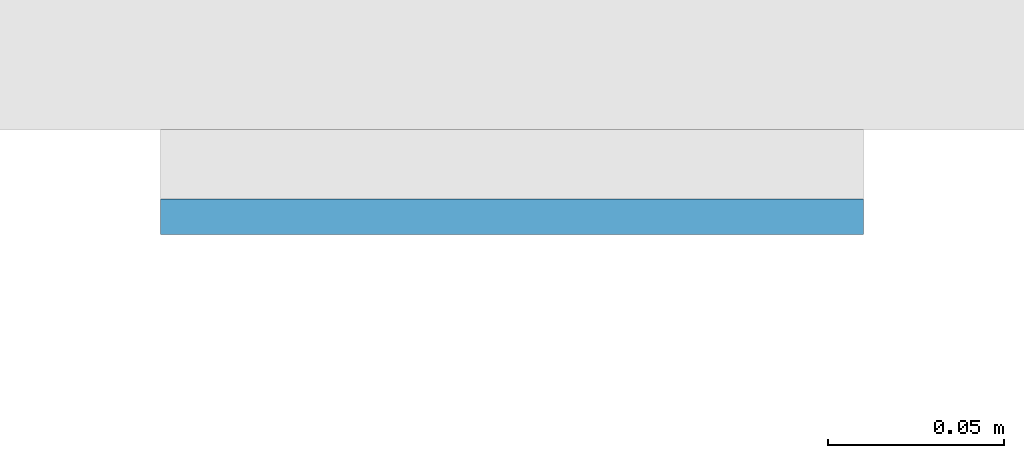
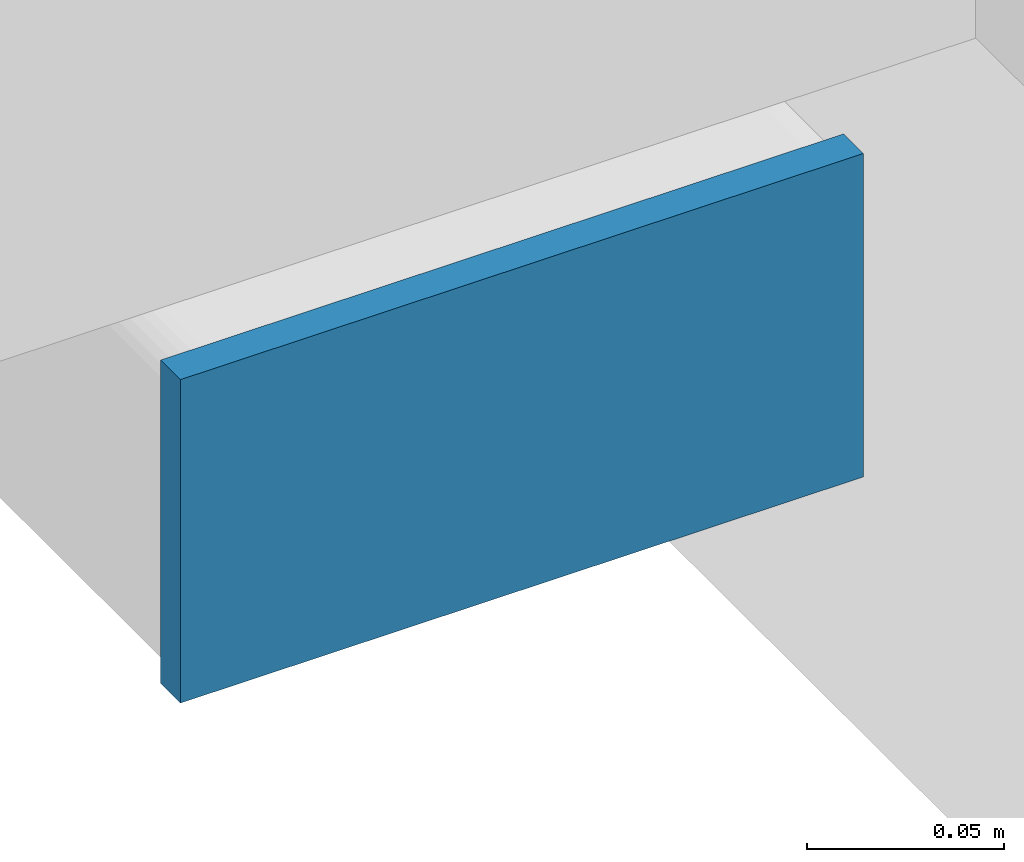
# One storey, part 8 of 20: 1 plate.
"""IFC4 building model written with IfcOpenShell, lengths in metres."""

from ifc_helpers import new_model, si_unit, direction, frame, origin, origin_2d, place, context, subcontext, project, spatial, rectangle, extrude, material, layer, layer_set, type_object, element, save


model = new_model("IFC4")

# Units and contexts
model_context = context("Model", 3, precision=1e-05, world=origin(), true_north=direction((0.0, 1.0)))
body_context = subcontext(model_context, "Body", "Model", "MODEL_VIEW")
ifc_project = project(units=[si_unit("LENGTHUNIT", "METRE"), si_unit("AREAUNIT", "SQUARE_METRE"), si_unit("VOLUMEUNIT", "CUBIC_METRE"), si_unit("PLANEANGLEUNIT", "RADIAN"), si_unit("MASSUNIT", "GRAM", prefix="KILO")], contexts=[model_context])

# Site, building, storey
site_placement = place(None, origin())
site = spatial("IfcSite", under=ifc_project, at=site_placement, CompositionType="ELEMENT")
building_placement = place(site_placement, origin())
building = spatial("IfcBuilding", under=site, at=building_placement, Name="Cleftline Residences", CompositionType="ELEMENT")
storey_placement = place(building_placement, frame((0.0, 0.0, 62.0)))
storey = spatial("IfcBuildingStorey", under=building, at=storey_placement, Name="L15", CompositionType="ELEMENT", Elevation=62.0)

# Plate
ifc_material = material(Name="Steel S355, hot-dip galvanised", Category="steel")
ifc_layer = layer(ifc_material, 0.010009765625)
ifc_layer_set = layer_set([ifc_layer], Name="BAGUETTE CARRIER END PLATE 200X100X10")
plate_type = type_object("IfcPlateType", Name="BAGUETTE CARRIER END PLATE 200X100X10", PredefinedType="USERDEFINED", material=ifc_layer_set)
plate_placement = place(storey_placement, frame((-0.85009765625, 3.695068359375, -0.10009765625), z_axis=(0.0, 0.0, 1.0), x_axis=(-1.0, 0.0, 0.0)))
element("IfcPlate", 1, at=plate_placement, inside=storey, type_object=plate_type, Name="Baguette carrier end plate", ObjectType="BAGUETTE CARRIER END PLATE", PredefinedType="USERDEFINED", context=body_context, shape_type="SweptSolid", body=[
    extrude(rectangle(XDim=0.199951171875, YDim=0.010009765625, at=origin_2d()), origin(), (0.0, 0.0, 1.0), 0.10009765625),
])

save(model, "model.ifc")
